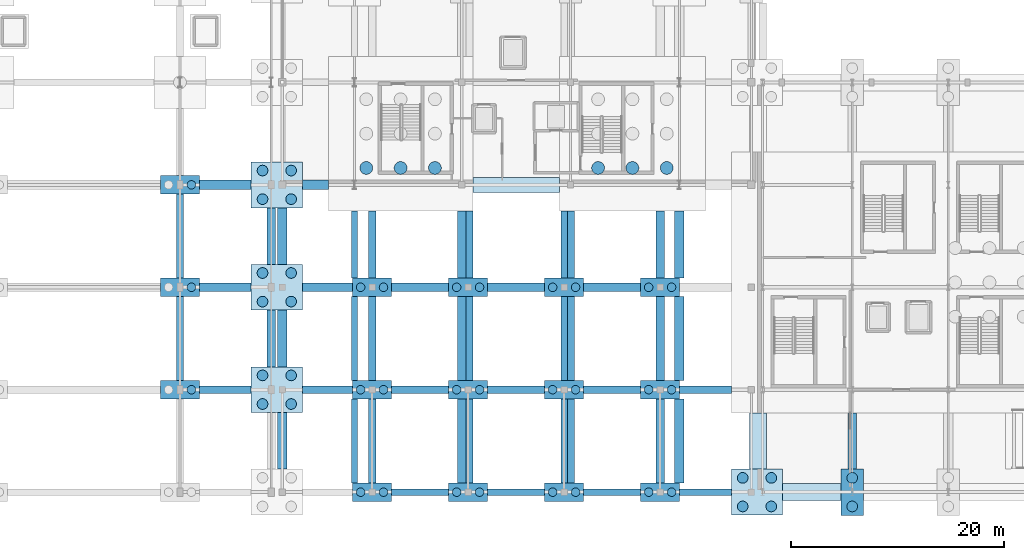
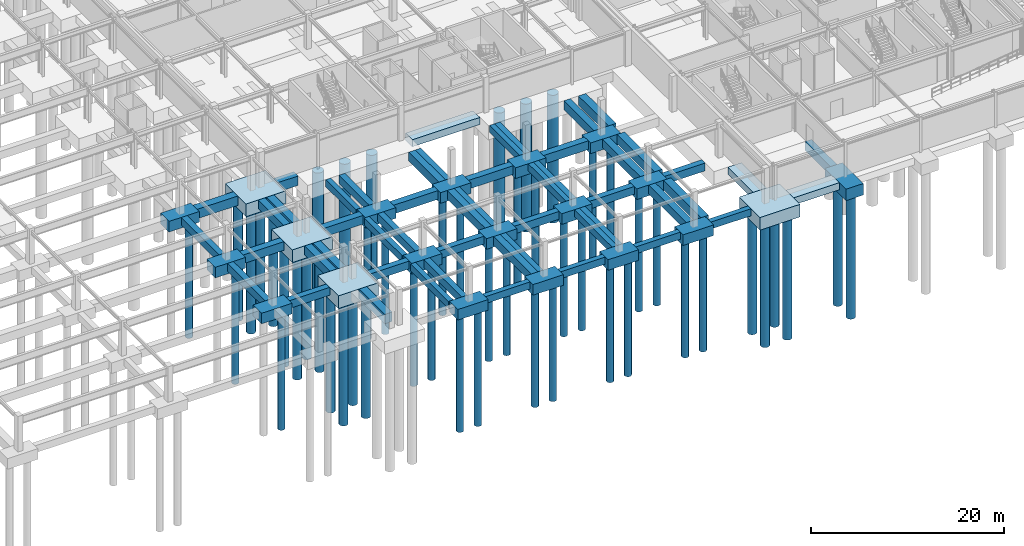
# One storey, part 2 of 59: 72 footings, 51 piles.
"""IFC4 building model written with IfcOpenShell, lengths in metres."""

from ifc_helpers import new_model, si_unit, direction, frame, origin, origin_2d, place, context, subcontext, project, spatial, rectangle, circle, extrude, material, material_profile, profile_set, type_object, element, save


model = new_model("IFC4")

# Units and contexts
model_context = context("Model", 3, precision=1e-05, world=origin(), true_north=direction((0.0, 1.0)))
body_context = subcontext(model_context, "Body", "Model", "MODEL_VIEW")
ifc_project = project(units=[si_unit("LENGTHUNIT", "METRE"), si_unit("AREAUNIT", "SQUARE_METRE"), si_unit("VOLUMEUNIT", "CUBIC_METRE"), si_unit("PLANEANGLEUNIT", "RADIAN"), si_unit("MASSUNIT", "GRAM", prefix="KILO")], contexts=[model_context])

# Site, building, storey
site_placement = place(None, origin())
site = spatial("IfcSite", under=ifc_project, at=site_placement, CompositionType="ELEMENT")
building_placement = place(site_placement, origin())
building = spatial("IfcBuilding", under=site, at=building_placement, Name="Myrtia Square Station", CompositionType="ELEMENT")
storey_placement = place(building_placement, frame((0.0, 0.0, -4.5)))
storey = spatial("IfcBuildingStorey", under=building, at=storey_placement, Name="B01", CompositionType="ELEMENT", Elevation=-4.5)

# Footings
ifc_material = material(Name="Concrete C35/45", Category="concrete")
ifc_material_profile_1 = material_profile(ifc_material, rectangle(XDim=0.60009765625, YDim=0.89990234375, at=origin_2d()), Name="FB 600x900")
ifc_profile_set_1 = profile_set([ifc_material_profile_1], Name="Concrete C35/45")
footing_type_1 = type_object("IfcFootingType", Name="FBM-600x900", PredefinedType="FOOTING_BEAM", material=ifc_profile_set_1)
for number, where, z_axis, x_axis, name in (
    (1, (82.820068359375, 0.0, -0.449951171875), (1.0, 0.0, 0.0), (0.0, 1.0, 0.0), "Seismic foundation tie beam X-0005"),
    (2, (91.820068359375, 0.0, -0.449951171875), (1.0, 0.0, 0.0), (0.0, 1.0, 0.0), "Seismic foundation tie beam X-0006"),
    (3, (100.820068359375, 0.0, -0.449951171875), (1.0, 0.0, 0.0), (0.0, 1.0, 0.0), "Seismic foundation tie beam X-0007"),
):
    element("IfcFooting", number, at=place(storey_placement, frame(where, z_axis=z_axis, x_axis=x_axis)), inside=storey, type_object=footing_type_1, Name=name, PredefinedType="FOOTING_BEAM", context=body_context, shape_type="SweptSolid", body=[
        extrude(rectangle(XDim=0.60009765625, YDim=0.89990234375, at=origin_2d()), origin(), (0.0, 0.0, 1.0), 5.35986328125),
    ])
footing_1_placement = place(storey_placement, frame((109.820068359375, 0.0, -0.449951171875), z_axis=(1.0, 0.0, 0.0), x_axis=(0.0, 1.0, 0.0)))
element("IfcFooting", 4, at=footing_1_placement, inside=storey, type_object=footing_type_1, Name="Seismic foundation tie beam X-0008", PredefinedType="FOOTING_BEAM", context=body_context, shape_type="SweptSolid", body=[
    extrude(rectangle(XDim=0.60009765625, YDim=0.89990234375, at=origin_2d()), origin(), (0.0, 0.0, 1.0), 4.85498046875),
])
for number, where, z_axis, x_axis, name in (
    (5, (79.35009765625, 0.8798828125, -0.449951171875), (0.0, 1.0, 0.0), (-1.0, 0.0, 0.0), "Seismic foundation tie beam Y-0227"),
    (6, (79.35009765625, 10.47998046875, -0.449951171875), (0.0, 1.0, 0.0), (-1.0, 0.0, 0.0), "Seismic foundation tie beam Y-0228"),
):
    element("IfcFooting", number, at=place(storey_placement, frame(where, z_axis=z_axis, x_axis=x_axis)), inside=storey, type_object=footing_type_1, Name=name, PredefinedType="FOOTING_BEAM", context=body_context, shape_type="SweptSolid", body=[
        extrude(rectangle(XDim=0.60009765625, YDim=0.89990234375, at=origin_2d()), origin(), (0.0, 0.0, 1.0), 7.840087890625),
    ])
footing_2_placement = place(storey_placement, frame((79.35009765625, 20.080078125, -0.449951171875), z_axis=(0.0, 1.0, 0.0), x_axis=(-1.0, 0.0, 0.0)))
element("IfcFooting", 7, at=footing_2_placement, inside=storey, type_object=footing_type_1, Name="Seismic foundation tie beam Y-0229", PredefinedType="FOOTING_BEAM", context=body_context, shape_type="SweptSolid", body=[
    extrude(rectangle(XDim=0.60009765625, YDim=0.89990234375, at=origin_2d()), origin(), (0.0, 0.0, 1.0), 6.27001953125),
])
for number, where, z_axis, x_axis, name in (
    (8, (99.0, 0.8798828125, -0.449951171875), (0.0, 1.0, 0.0), (-1.0, 0.0, 0.0), "Seismic foundation tie beam Y-0262"),
    (9, (99.0, 10.47998046875, -0.449951171875), (0.0, 1.0, 0.0), (-1.0, 0.0, 0.0), "Seismic foundation tie beam Y-0263"),
):
    element("IfcFooting", number, at=place(storey_placement, frame(where, z_axis=z_axis, x_axis=x_axis)), inside=storey, type_object=footing_type_1, Name=name, PredefinedType="FOOTING_BEAM", context=body_context, shape_type="SweptSolid", body=[
        extrude(rectangle(XDim=0.60009765625, YDim=0.89990234375, at=origin_2d()), origin(), (0.0, 0.0, 1.0), 7.840087890625),
    ])
footing_3_placement = place(storey_placement, frame((99.0, 20.080078125, -0.449951171875), z_axis=(0.0, 1.0, 0.0), x_axis=(-1.0, 0.0, 0.0)))
element("IfcFooting", 10, at=footing_3_placement, inside=storey, type_object=footing_type_1, Name="Seismic foundation tie beam Y-0264", PredefinedType="FOOTING_BEAM", context=body_context, shape_type="SweptSolid", body=[
    extrude(rectangle(XDim=0.60009765625, YDim=0.89990234375, at=origin_2d()), origin(), (0.0, 0.0, 1.0), 6.27001953125),
])
ifc_material_profile_2 = material_profile(ifc_material, rectangle(XDim=0.699951171875, YDim=1.0, at=origin_2d()), Name="FB 700x1000")
ifc_profile_set_2 = profile_set([ifc_material_profile_2], Name="Concrete C35/45")
footing_type_2 = type_object("IfcFootingType", Name="FBM-700x1000", PredefinedType="FOOTING_BEAM", material=ifc_profile_set_2)
footing_4_placement = place(storey_placement, frame((64.820068359375, 9.60009765625, -0.5), z_axis=(1.0, 0.0, 0.0), x_axis=(0.0, 1.0, 0.0)))
element("IfcFooting", 11, at=footing_4_placement, inside=storey, type_object=footing_type_2, Name="Seismic foundation tie beam X-0013", PredefinedType="FOOTING_BEAM", context=body_context, shape_type="SweptSolid", body=[
    extrude(rectangle(XDim=0.699951171875, YDim=1.0, at=origin_2d()), origin(), (0.0, 0.0, 1.0), 4.85498046875),
])
footing_5_placement = place(storey_placement, frame((74.47509765625, 9.60009765625, -0.5), z_axis=(1.0, 0.0, 0.0), x_axis=(0.0, 1.0, 0.0)))
element("IfcFooting", 12, at=footing_5_placement, inside=storey, type_object=footing_type_2, Name="Seismic foundation tie beam X-0014", PredefinedType="FOOTING_BEAM", context=body_context, shape_type="SweptSolid", body=[
    extrude(rectangle(XDim=0.699951171875, YDim=1.0, at=origin_2d()), origin(), (0.0, 0.0, 1.0), 4.704833984375),
])
for number, where, z_axis, x_axis, name in (
    (13, (82.820068359375, 9.60009765625, -0.5), (1.0, 0.0, 0.0), (0.0, 1.0, 0.0), "Seismic foundation tie beam X-0015"),
    (14, (91.820068359375, 9.60009765625, -0.5), (1.0, 0.0, 0.0), (0.0, 1.0, 0.0), "Seismic foundation tie beam X-0016"),
    (15, (100.820068359375, 9.60009765625, -0.5), (1.0, 0.0, 0.0), (0.0, 1.0, 0.0), "Seismic foundation tie beam X-0017"),
):
    element("IfcFooting", number, at=place(storey_placement, frame(where, z_axis=z_axis, x_axis=x_axis)), inside=storey, type_object=footing_type_2, Name=name, PredefinedType="FOOTING_BEAM", context=body_context, shape_type="SweptSolid", body=[
        extrude(rectangle(XDim=0.699951171875, YDim=1.0, at=origin_2d()), origin(), (0.0, 0.0, 1.0), 5.35986328125),
    ])
footing_6_placement = place(storey_placement, frame((109.820068359375, 9.60009765625, -0.5), z_axis=(1.0, 0.0, 0.0), x_axis=(0.0, 1.0, 0.0)))
element("IfcFooting", 16, at=footing_6_placement, inside=storey, type_object=footing_type_2, Name="Seismic foundation tie beam X-0018", PredefinedType="FOOTING_BEAM", context=body_context, shape_type="SweptSolid", body=[
    extrude(rectangle(XDim=0.699951171875, YDim=1.0, at=origin_2d()), origin(), (0.0, 0.0, 1.0), 4.85498046875),
])
footing_7_placement = place(storey_placement, frame((63.0, 10.47998046875, -0.5), z_axis=(0.0, 1.0, 0.0), x_axis=(-1.0, 0.0, 0.0)))
element("IfcFooting", 17, at=footing_7_placement, inside=storey, type_object=footing_type_2, Name="Seismic foundation tie beam Y-0203", PredefinedType="FOOTING_BEAM", context=body_context, shape_type="SweptSolid", body=[
    extrude(rectangle(XDim=0.699951171875, YDim=1.0, at=origin_2d()), origin(), (0.0, 0.0, 1.0), 7.840087890625),
])
footing_8_placement = place(storey_placement, frame((63.0, 20.080078125, -0.5), z_axis=(0.0, 1.0, 0.0), x_axis=(-1.0, 0.0, 0.0)))
element("IfcFooting", 18, at=footing_8_placement, inside=storey, type_object=footing_type_2, Name="Seismic foundation tie beam Y-0204", PredefinedType="FOOTING_BEAM", context=body_context, shape_type="SweptSolid", body=[
    extrude(rectangle(XDim=0.699951171875, YDim=1.0, at=origin_2d()), origin(), (0.0, 0.0, 1.0), 7.83984375),
])
for number, where, z_axis, x_axis, name in (
    (19, (81.0, 0.8798828125, -0.5), (0.0, 1.0, 0.0), (-1.0, 0.0, 0.0), "Seismic foundation tie beam Y-0235"),
    (20, (81.0, 10.47998046875, -0.5), (0.0, 1.0, 0.0), (-1.0, 0.0, 0.0), "Seismic foundation tie beam Y-0236"),
):
    element("IfcFooting", number, at=place(storey_placement, frame(where, z_axis=z_axis, x_axis=x_axis)), inside=storey, type_object=footing_type_2, Name=name, PredefinedType="FOOTING_BEAM", context=body_context, shape_type="SweptSolid", body=[
        extrude(rectangle(XDim=0.699951171875, YDim=1.0, at=origin_2d()), origin(), (0.0, 0.0, 1.0), 7.840087890625),
    ])
footing_9_placement = place(storey_placement, frame((81.0, 20.080078125, -0.5), z_axis=(0.0, 1.0, 0.0), x_axis=(-1.0, 0.0, 0.0)))
element("IfcFooting", 21, at=footing_9_placement, inside=storey, type_object=footing_type_2, Name="Seismic foundation tie beam Y-0237", PredefinedType="FOOTING_BEAM", context=body_context, shape_type="SweptSolid", body=[
    extrude(rectangle(XDim=0.699951171875, YDim=1.0, at=origin_2d()), origin(), (0.0, 0.0, 1.0), 6.27001953125),
])
for number, where, z_axis, x_axis, name in (
    (22, (99.60009765625, 0.8798828125, -0.5), (0.0, 1.0, 0.0), (-1.0, 0.0, 0.0), "Seismic foundation tie beam Y-0271"),
    (23, (99.60009765625, 10.47998046875, -0.5), (0.0, 1.0, 0.0), (-1.0, 0.0, 0.0), "Seismic foundation tie beam Y-0272"),
):
    element("IfcFooting", number, at=place(storey_placement, frame(where, z_axis=z_axis, x_axis=x_axis)), inside=storey, type_object=footing_type_2, Name=name, PredefinedType="FOOTING_BEAM", context=body_context, shape_type="SweptSolid", body=[
        extrude(rectangle(XDim=0.699951171875, YDim=1.0, at=origin_2d()), origin(), (0.0, 0.0, 1.0), 7.840087890625),
    ])
footing_10_placement = place(storey_placement, frame((99.60009765625, 20.080078125, -0.5), z_axis=(0.0, 1.0, 0.0), x_axis=(-1.0, 0.0, 0.0)))
element("IfcFooting", 24, at=footing_10_placement, inside=storey, type_object=footing_type_2, Name="Seismic foundation tie beam Y-0273", PredefinedType="FOOTING_BEAM", context=body_context, shape_type="SweptSolid", body=[
    extrude(rectangle(XDim=0.699951171875, YDim=1.0, at=origin_2d()), origin(), (0.0, 0.0, 1.0), 6.27001953125),
])
ifc_material_profile_3 = material_profile(ifc_material, rectangle(XDim=0.800048828125, YDim=1.10009765625, at=origin_2d()), Name="FB 800x1100")
ifc_profile_set_3 = profile_set([ifc_material_profile_3], Name="Concrete C35/45")
footing_type_3 = type_object("IfcFootingType", Name="FBM-800x1100", PredefinedType="FOOTING_BEAM", material=ifc_profile_set_3)
footing_11_placement = place(storey_placement, frame((64.820068359375, 19.199951171875, -0.550048828125), z_axis=(1.0, 0.0, 0.0), x_axis=(0.0, 1.0, 0.0)))
element("IfcFooting", 25, at=footing_11_placement, inside=storey, type_object=footing_type_3, Name="Seismic foundation tie beam X-0025", PredefinedType="FOOTING_BEAM", context=body_context, shape_type="SweptSolid", body=[
    extrude(rectangle(XDim=0.800048828125, YDim=1.10009765625, at=origin_2d()), origin(), (0.0, 0.0, 1.0), 4.85498046875),
])
footing_12_placement = place(storey_placement, frame((74.47509765625, 19.199951171875, -0.550048828125), z_axis=(1.0, 0.0, 0.0), x_axis=(0.0, 1.0, 0.0)))
element("IfcFooting", 26, at=footing_12_placement, inside=storey, type_object=footing_type_3, Name="Seismic foundation tie beam X-0026", PredefinedType="FOOTING_BEAM", context=body_context, shape_type="SweptSolid", body=[
    extrude(rectangle(XDim=0.800048828125, YDim=1.10009765625, at=origin_2d()), origin(), (0.0, 0.0, 1.0), 4.704833984375),
])
for number, where, z_axis, x_axis, name in (
    (27, (82.820068359375, 19.199951171875, -0.550048828125), (1.0, 0.0, 0.0), (0.0, 1.0, 0.0), "Seismic foundation tie beam X-0027"),
    (28, (91.820068359375, 19.199951171875, -0.550048828125), (1.0, 0.0, 0.0), (0.0, 1.0, 0.0), "Seismic foundation tie beam X-0028"),
    (29, (100.820068359375, 19.199951171875, -0.550048828125), (1.0, 0.0, 0.0), (0.0, 1.0, 0.0), "Seismic foundation tie beam X-0029"),
):
    element("IfcFooting", number, at=place(storey_placement, frame(where, z_axis=z_axis, x_axis=x_axis)), inside=storey, type_object=footing_type_3, Name=name, PredefinedType="FOOTING_BEAM", context=body_context, shape_type="SweptSolid", body=[
        extrude(rectangle(XDim=0.800048828125, YDim=1.10009765625, at=origin_2d()), origin(), (0.0, 0.0, 1.0), 5.35986328125),
    ])
footing_13_placement = place(storey_placement, frame((71.550048828125, 11.75, -0.550048828125), z_axis=(0.0, 1.0, 0.0), x_axis=(-1.0, 0.0, 0.0)))
element("IfcFooting", 30, at=footing_13_placement, inside=storey, type_object=footing_type_3, Name="Seismic foundation tie beam Y-0216", PredefinedType="FOOTING_BEAM", context=body_context, shape_type="SweptSolid", body=[
    extrude(rectangle(XDim=0.800048828125, YDim=1.10009765625, at=origin_2d()), origin(), (0.0, 0.0, 1.0), 5.300048828125),
])
footing_14_placement = place(storey_placement, frame((71.550048828125, 21.35009765625, -0.550048828125), z_axis=(0.0, 1.0, 0.0), x_axis=(-1.0, 0.0, 0.0)))
element("IfcFooting", 31, at=footing_14_placement, inside=storey, type_object=footing_type_3, Name="Seismic foundation tie beam Y-0217", PredefinedType="FOOTING_BEAM", context=body_context, shape_type="SweptSolid", body=[
    extrude(rectangle(XDim=0.800048828125, YDim=1.10009765625, at=origin_2d()), origin(), (0.0, 0.0, 1.0), 5.2998046875),
])
for number, where, z_axis, x_axis, name in (
    (32, (89.39990234375, 0.8798828125, -0.550048828125), (0.0, 1.0, 0.0), (-1.0, 0.0, 0.0), "Seismic foundation tie beam Y-0244"),
    (33, (89.39990234375, 10.47998046875, -0.550048828125), (0.0, 1.0, 0.0), (-1.0, 0.0, 0.0), "Seismic foundation tie beam Y-0245"),
):
    element("IfcFooting", number, at=place(storey_placement, frame(where, z_axis=z_axis, x_axis=x_axis)), inside=storey, type_object=footing_type_3, Name=name, PredefinedType="FOOTING_BEAM", context=body_context, shape_type="SweptSolid", body=[
        extrude(rectangle(XDim=0.800048828125, YDim=1.10009765625, at=origin_2d()), origin(), (0.0, 0.0, 1.0), 7.840087890625),
    ])
footing_15_placement = place(storey_placement, frame((89.39990234375, 20.080078125, -0.550048828125), z_axis=(0.0, 1.0, 0.0), x_axis=(-1.0, 0.0, 0.0)))
element("IfcFooting", 34, at=footing_15_placement, inside=storey, type_object=footing_type_3, Name="Seismic foundation tie beam Y-0246", PredefinedType="FOOTING_BEAM", context=body_context, shape_type="SweptSolid", body=[
    extrude(rectangle(XDim=0.800048828125, YDim=1.10009765625, at=origin_2d()), origin(), (0.0, 0.0, 1.0), 6.27001953125),
])
for number, where, z_axis, x_axis, name in (
    (35, (108.0, 0.8798828125, -0.550048828125), (0.0, 1.0, 0.0), (-1.0, 0.0, 0.0), "Seismic foundation tie beam Y-0280"),
    (36, (108.0, 10.47998046875, -0.550048828125), (0.0, 1.0, 0.0), (-1.0, 0.0, 0.0), "Seismic foundation tie beam Y-0281"),
):
    element("IfcFooting", number, at=place(storey_placement, frame(where, z_axis=z_axis, x_axis=x_axis)), inside=storey, type_object=footing_type_3, Name=name, PredefinedType="FOOTING_BEAM", context=body_context, shape_type="SweptSolid", body=[
        extrude(rectangle(XDim=0.800048828125, YDim=1.10009765625, at=origin_2d()), origin(), (0.0, 0.0, 1.0), 7.840087890625),
    ])
footing_16_placement = place(storey_placement, frame((108.0, 20.080078125, -0.550048828125), z_axis=(0.0, 1.0, 0.0), x_axis=(-1.0, 0.0, 0.0)))
element("IfcFooting", 37, at=footing_16_placement, inside=storey, type_object=footing_type_3, Name="Seismic foundation tie beam Y-0282", PredefinedType="FOOTING_BEAM", context=body_context, shape_type="SweptSolid", body=[
    extrude(rectangle(XDim=0.800048828125, YDim=1.10009765625, at=origin_2d()), origin(), (0.0, 0.0, 1.0), 6.27001953125),
])
footing_17_placement = place(storey_placement, frame((126.0, 2.179931640625, -0.550048828125), z_axis=(0.0, 1.0, 0.0), x_axis=(-1.0, 0.0, 0.0)))
element("IfcFooting", 38, at=footing_17_placement, inside=storey, type_object=footing_type_3, Name="Seismic foundation tie beam Y-0307", PredefinedType="FOOTING_BEAM", context=body_context, shape_type="SweptSolid", body=[
    extrude(rectangle(XDim=0.800048828125, YDim=1.10009765625, at=origin_2d()), origin(), (0.0, 0.0, 1.0), 5.239990234375),
])
ifc_material_profile_4 = material_profile(ifc_material, rectangle(XDim=0.89990234375, YDim=1.199951171875, at=origin_2d()), Name="FB 900x1200")
ifc_profile_set_4 = profile_set([ifc_material_profile_4], Name="Concrete C35/45")
footing_type_4 = type_object("IfcFootingType", Name="FBM-900x1200", PredefinedType="FOOTING_BEAM", material=ifc_profile_set_4)
footing_18_placement = place(storey_placement, frame((64.820068359375, 28.800048828125, -0.60009765625), z_axis=(1.0, 0.0, 0.0), x_axis=(0.0, 1.0, 0.0)))
element("IfcFooting", 39, at=footing_18_placement, inside=storey, type_object=footing_type_4, Name="Seismic foundation tie beam X-0037", PredefinedType="FOOTING_BEAM", context=body_context, shape_type="SweptSolid", body=[
    extrude(rectangle(XDim=0.89990234375, YDim=1.199951171875, at=origin_2d()), origin(), (0.0, 0.0, 1.0), 4.85498046875),
])
footing_19_placement = place(storey_placement, frame((74.47509765625, 28.800048828125, -0.60009765625), z_axis=(1.0, 0.0, 0.0), x_axis=(0.0, 1.0, 0.0)))
element("IfcFooting", 40, at=footing_19_placement, inside=storey, type_object=footing_type_4, Name="Seismic foundation tie beam X-0038", PredefinedType="FOOTING_BEAM", context=body_context, shape_type="SweptSolid", body=[
    extrude(rectangle(XDim=0.89990234375, YDim=1.199951171875, at=origin_2d()), origin(), (0.0, 0.0, 1.0), 2.4248046875),
])
for number, where, z_axis, x_axis, name in (
    (41, (72.60009765625, 2.14990234375, -0.60009765625), (0.0, 1.0, 0.0), (-1.0, 0.0, 0.0), "Seismic foundation tie beam Y-0221"),
    (42, (72.60009765625, 11.75, -0.60009765625), (0.0, 1.0, 0.0), (-1.0, 0.0, 0.0), "Seismic foundation tie beam Y-0222"),
):
    element("IfcFooting", number, at=place(storey_placement, frame(where, z_axis=z_axis, x_axis=x_axis)), inside=storey, type_object=footing_type_4, Name=name, PredefinedType="FOOTING_BEAM", context=body_context, shape_type="SweptSolid", body=[
        extrude(rectangle(XDim=0.89990234375, YDim=1.199951171875, at=origin_2d()), origin(), (0.0, 0.0, 1.0), 5.300048828125),
    ])
footing_20_placement = place(storey_placement, frame((72.60009765625, 21.35009765625, -0.60009765625), z_axis=(0.0, 1.0, 0.0), x_axis=(-1.0, 0.0, 0.0)))
element("IfcFooting", 43, at=footing_20_placement, inside=storey, type_object=footing_type_4, Name="Seismic foundation tie beam Y-0223", PredefinedType="FOOTING_BEAM", context=body_context, shape_type="SweptSolid", body=[
    extrude(rectangle(XDim=0.89990234375, YDim=1.199951171875, at=origin_2d()), origin(), (0.0, 0.0, 1.0), 5.2998046875),
])
for number, where, z_axis, x_axis, name in (
    (44, (90.0, 0.8798828125, -0.60009765625), (0.0, 1.0, 0.0), (-1.0, 0.0, 0.0), "Seismic foundation tie beam Y-0253"),
    (45, (90.0, 10.47998046875, -0.60009765625), (0.0, 1.0, 0.0), (-1.0, 0.0, 0.0), "Seismic foundation tie beam Y-0254"),
):
    element("IfcFooting", number, at=place(storey_placement, frame(where, z_axis=z_axis, x_axis=x_axis)), inside=storey, type_object=footing_type_4, Name=name, PredefinedType="FOOTING_BEAM", context=body_context, shape_type="SweptSolid", body=[
        extrude(rectangle(XDim=0.89990234375, YDim=1.199951171875, at=origin_2d()), origin(), (0.0, 0.0, 1.0), 7.840087890625),
    ])
footing_21_placement = place(storey_placement, frame((90.0, 20.080078125, -0.60009765625), z_axis=(0.0, 1.0, 0.0), x_axis=(-1.0, 0.0, 0.0)))
element("IfcFooting", 46, at=footing_21_placement, inside=storey, type_object=footing_type_4, Name="Seismic foundation tie beam Y-0255", PredefinedType="FOOTING_BEAM", context=body_context, shape_type="SweptSolid", body=[
    extrude(rectangle(XDim=0.89990234375, YDim=1.199951171875, at=origin_2d()), origin(), (0.0, 0.0, 1.0), 6.27001953125),
])
for number, where, z_axis, x_axis, name in (
    (47, (109.800048828125, 0.8798828125, -0.60009765625), (0.0, 1.0, 0.0), (-1.0, 0.0, 0.0), "Seismic foundation tie beam Y-0289"),
    (48, (109.800048828125, 10.47998046875, -0.60009765625), (0.0, 1.0, 0.0), (-1.0, 0.0, 0.0), "Seismic foundation tie beam Y-0290"),
):
    element("IfcFooting", number, at=place(storey_placement, frame(where, z_axis=z_axis, x_axis=x_axis)), inside=storey, type_object=footing_type_4, Name=name, PredefinedType="FOOTING_BEAM", context=body_context, shape_type="SweptSolid", body=[
        extrude(rectangle(XDim=0.89990234375, YDim=1.199951171875, at=origin_2d()), origin(), (0.0, 0.0, 1.0), 7.840087890625),
    ])
footing_22_placement = place(storey_placement, frame((109.800048828125, 20.080078125, -0.60009765625), z_axis=(0.0, 1.0, 0.0), x_axis=(-1.0, 0.0, 0.0)))
element("IfcFooting", 49, at=footing_22_placement, inside=storey, type_object=footing_type_4, Name="Seismic foundation tie beam Y-0291", PredefinedType="FOOTING_BEAM", context=body_context, shape_type="SweptSolid", body=[
    extrude(rectangle(XDim=0.89990234375, YDim=1.199951171875, at=origin_2d()), origin(), (0.0, 0.0, 1.0), 6.27001953125),
])
footing_type_5 = type_object("IfcFootingType", Name="FCAP-210x436x145", PredefinedType="PILE_CAP", material=ifc_material)
footing_23_placement = place(storey_placement, frame((126.0, 0.0, -1.4501953125), z_axis=(0.0, 0.0, 1.0), x_axis=(1.0, 0.0, 0.0)))
element("IfcFooting", 50, at=footing_23_placement, inside=storey, type_object=footing_type_5, Name="Reinforced concrete pile cap CAP-M2Y-163", PredefinedType="PILE_CAP", context=body_context, shape_type="SweptSolid", body=[
    extrude(rectangle(XDim=2.10009765625, YDim=4.360107421875, at=origin_2d()), origin(), (0.0, 0.0, 1.0), 1.449951171875),
])
footing_type_6 = type_object("IfcFootingType", Name="FCAP-364x176x135", PredefinedType="PILE_CAP", material=ifc_material)
for number, where, z_axis, x_axis, name in (
    (51, (63.0, 9.60009765625, -1.35009765625), (0.0, 0.0, 1.0), (1.0, 0.0, 0.0), "Reinforced concrete pile cap CAP-L2X-053"),
    (52, (63.0, 19.199951171875, -1.35009765625), (0.0, 0.0, 1.0), (1.0, 0.0, 0.0), "Reinforced concrete pile cap CAP-L2X-054"),
    (53, (63.0, 28.800048828125, -1.35009765625), (0.0, 0.0, 1.0), (1.0, 0.0, 0.0), "Reinforced concrete pile cap CAP-L2X-055"),
    (54, (81.0, 0.0, -1.35009765625), (0.0, 0.0, 1.0), (1.0, 0.0, 0.0), "Reinforced concrete pile cap CAP-L2X-143"),
    (55, (81.0, 9.60009765625, -1.35009765625), (0.0, 0.0, 1.0), (1.0, 0.0, 0.0), "Reinforced concrete pile cap CAP-L2X-144"),
    (56, (81.0, 19.199951171875, -1.35009765625), (0.0, 0.0, 1.0), (1.0, 0.0, 0.0), "Reinforced concrete pile cap CAP-L2X-145"),
    (57, (90.0, 0.0, -1.35009765625), (0.0, 0.0, 1.0), (1.0, 0.0, 0.0), "Reinforced concrete pile cap CAP-L2X-146"),
    (58, (90.0, 9.60009765625, -1.35009765625), (0.0, 0.0, 1.0), (1.0, 0.0, 0.0), "Reinforced concrete pile cap CAP-L2X-147"),
    (59, (90.0, 19.199951171875, -1.35009765625), (0.0, 0.0, 1.0), (1.0, 0.0, 0.0), "Reinforced concrete pile cap CAP-L2X-148"),
    (60, (99.0, 0.0, -1.35009765625), (0.0, 0.0, 1.0), (1.0, 0.0, 0.0), "Reinforced concrete pile cap CAP-L2X-149"),
    (61, (99.0, 9.60009765625, -1.35009765625), (0.0, 0.0, 1.0), (1.0, 0.0, 0.0), "Reinforced concrete pile cap CAP-L2X-150"),
    (62, (99.0, 19.199951171875, -1.35009765625), (0.0, 0.0, 1.0), (1.0, 0.0, 0.0), "Reinforced concrete pile cap CAP-L2X-151"),
    (63, (108.0, 0.0, -1.35009765625), (0.0, 0.0, 1.0), (1.0, 0.0, 0.0), "Reinforced concrete pile cap CAP-L2X-152"),
    (64, (108.0, 9.60009765625, -1.35009765625), (0.0, 0.0, 1.0), (1.0, 0.0, 0.0), "Reinforced concrete pile cap CAP-L2X-153"),
    (65, (108.0, 19.199951171875, -1.35009765625), (0.0, 0.0, 1.0), (1.0, 0.0, 0.0), "Reinforced concrete pile cap CAP-L2X-154"),
):
    element("IfcFooting", number, at=place(storey_placement, frame(where, z_axis=z_axis, x_axis=x_axis)), inside=storey, type_object=footing_type_6, Name=name, PredefinedType="PILE_CAP", context=body_context, shape_type="SweptSolid", body=[
        extrude(rectangle(XDim=3.639892578125, YDim=1.760009765625, at=origin_2d()), origin(), (0.0, 0.0, 1.0), 1.35009765625),
    ])
footing_type_7 = type_object("IfcFootingType", Name="FCAP-480x430x160", PredefinedType="PILE_CAP", material=ifc_material)
for number, where, z_axis, x_axis, name in (
    (66, (72.074951171875, 9.60009765625, -1.60009765625), (0.0, 0.0, 1.0), (1.0, 0.0, 0.0), "Reinforced concrete pile cap CAP-JT-067"),
    (67, (72.074951171875, 19.199951171875, -1.60009765625), (0.0, 0.0, 1.0), (1.0, 0.0, 0.0), "Reinforced concrete pile cap CAP-JT-068"),
    (68, (72.074951171875, 28.800048828125, -1.60009765625), (0.0, 0.0, 1.0), (1.0, 0.0, 0.0), "Reinforced concrete pile cap CAP-JT-069"),
    (69, (117.074951171875, 0.0, -1.60009765625), (0.0, 0.0, 1.0), (1.0, 0.0, 0.0), "Reinforced concrete pile cap CAP-JT-155"),
):
    element("IfcFooting", number, at=place(storey_placement, frame(where, z_axis=z_axis, x_axis=x_axis)), inside=storey, type_object=footing_type_7, Name=name, PredefinedType="PILE_CAP", context=body_context, shape_type="SweptSolid", body=[
        extrude(rectangle(XDim=4.800048828125, YDim=4.300048828125, at=origin_2d()), origin(), (0.0, 0.0, 1.0), 1.60009765625),
    ])

# Piles
ifc_material_profile_5 = material_profile(ifc_material, circle(Radius=0.5, at=origin_2d()), Name="BP D1000")
ifc_profile_set_5 = profile_set([ifc_material_profile_5], Name="Concrete C35/45")
pile_type_1 = type_object("IfcPileType", Name="PIL-BP1000", PredefinedType="BORED", material=ifc_profile_set_5)
for number, where, z_axis, x_axis, name in (
    (70, (70.735107421875, 8.260009765625, -1.5), (0.0, 0.0, -1.0), (1.0, 0.0, 0.0), "Bored pile 0215"),
    (71, (70.735107421875, 10.93994140625, -1.5), (0.0, 0.0, -1.0), (1.0, 0.0, 0.0), "Bored pile 0216"),
    (72, (73.4150390625, 8.260009765625, -1.5), (0.0, 0.0, -1.0), (1.0, 0.0, 0.0), "Bored pile 0217"),
    (73, (73.4150390625, 10.93994140625, -1.5), (0.0, 0.0, -1.0), (1.0, 0.0, 0.0), "Bored pile 0218"),
    (74, (70.735107421875, 17.860107421875, -1.5), (0.0, 0.0, -1.0), (1.0, 0.0, 0.0), "Bored pile 0219"),
    (75, (70.735107421875, 20.5400390625, -1.5), (0.0, 0.0, -1.0), (1.0, 0.0, 0.0), "Bored pile 0220"),
    (76, (73.4150390625, 17.860107421875, -1.5), (0.0, 0.0, -1.0), (1.0, 0.0, 0.0), "Bored pile 0221"),
    (77, (73.4150390625, 20.5400390625, -1.5), (0.0, 0.0, -1.0), (1.0, 0.0, 0.0), "Bored pile 0222"),
    (78, (70.735107421875, 27.4599609375, -1.5), (0.0, 0.0, -1.0), (1.0, 0.0, 0.0), "Bored pile 0223"),
    (79, (70.735107421875, 30.139892578125, -1.5), (0.0, 0.0, -1.0), (1.0, 0.0, 0.0), "Bored pile 0224"),
    (80, (73.4150390625, 27.4599609375, -1.5), (0.0, 0.0, -1.0), (1.0, 0.0, 0.0), "Bored pile 0225"),
    (81, (73.4150390625, 30.139892578125, -1.5), (0.0, 0.0, -1.0), (1.0, 0.0, 0.0), "Bored pile 0226"),
    (82, (115.735107421875, -1.340087890625, -1.5), (0.0, 0.0, -1.0), (1.0, 0.0, 0.0), "Bored pile 0371"),
    (83, (115.735107421875, 1.340087890625, -1.5), (0.0, 0.0, -1.0), (1.0, 0.0, 0.0), "Bored pile 0372"),
    (84, (118.4150390625, -1.340087890625, -1.5), (0.0, 0.0, -1.0), (1.0, 0.0, 0.0), "Bored pile 0373"),
    (85, (118.4150390625, 1.340087890625, -1.5), (0.0, 0.0, -1.0), (1.0, 0.0, 0.0), "Bored pile 0374"),
):
    element("IfcPile", number, at=place(storey_placement, frame(where, z_axis=z_axis, x_axis=x_axis)), inside=storey, type_object=pile_type_1, Name=name, PredefinedType="BORED", context=body_context, shape_type="SweptSolid", body=[
        extrude(circle(Radius=0.5, at=origin_2d()), origin(), (0.0, 0.0, 1.0), 15.5),
    ])
for number, where, z_axis, x_axis, name in (
    (86, (126.0, -1.340087890625, -1.35009765625), (0.0, 0.0, -1.0), (1.0, 0.0, 0.0), "Bored pile 0375"),
    (87, (126.0, 1.340087890625, -1.35009765625), (0.0, 0.0, -1.0), (1.0, 0.0, 0.0), "Bored pile 0376"),
):
    element("IfcPile", number, at=place(storey_placement, frame(where, z_axis=z_axis, x_axis=x_axis)), inside=storey, type_object=pile_type_1, Name=name, PredefinedType="BORED", context=body_context, shape_type="SweptSolid", body=[
        extrude(circle(Radius=0.5, at=origin_2d()), origin(), (0.0, 0.0, 1.0), 15.64990234375),
    ])
ifc_material_profile_6 = material_profile(ifc_material, circle(Radius=0.60009765625, at=origin_2d()), Name="BP D1200")
ifc_profile_set_6 = profile_set([ifc_material_profile_6], Name="Concrete C35/45")
pile_type_2 = type_object("IfcPileType", Name="PIL-BP1200", PredefinedType="BORED", material=ifc_profile_set_6)
for number, where, z_axis, x_axis, name in (
    (88, (80.458984375, 30.384033203125, -1.699951171875), (0.0, 0.0, -1.0), (1.0, 0.0, 0.0), "Bored pile 0001"),
    (89, (83.675048828125, 30.384033203125, -1.699951171875), (0.0, 0.0, -1.0), (1.0, 0.0, 0.0), "Bored pile 0004"),
    (90, (86.89111328125, 30.384033203125, -1.699951171875), (0.0, 0.0, -1.0), (1.0, 0.0, 0.0), "Bored pile 0007"),
    (91, (102.18408203125, 30.384033203125, -1.699951171875), (0.0, 0.0, -1.0), (1.0, 0.0, 0.0), "Bored pile 0019"),
    (92, (105.39990234375, 30.384033203125, -1.699951171875), (0.0, 0.0, -1.0), (1.0, 0.0, 0.0), "Bored pile 0022"),
    (93, (108.615966796875, 30.384033203125, -1.699951171875), (0.0, 0.0, -1.0), (1.0, 0.0, 0.0), "Bored pile 0025"),
):
    element("IfcPile", number, at=place(storey_placement, frame(where, z_axis=z_axis, x_axis=x_axis)), inside=storey, type_object=pile_type_2, Name=name, PredefinedType="BORED", context=body_context, shape_type="SweptSolid", body=[
        extrude(circle(Radius=0.60009765625, at=origin_2d()), origin(), (0.0, 0.0, 1.0), 16.199951171875),
    ])
ifc_material_profile_7 = material_profile(ifc_material, circle(Radius=0.39990234375, at=origin_2d()), Name="BP D800")
ifc_profile_set_7 = profile_set([ifc_material_profile_7], Name="Concrete C35/45")
pile_type_3 = type_object("IfcPileType", Name="PIL-BP800", PredefinedType="BORED", material=ifc_profile_set_7)
for number, where, z_axis, x_axis, name in (
    (94, (64.072021484375, 9.60009765625, -1.25), (0.0, 0.0, -1.0), (1.0, 0.0, 0.0), "Bored pile 0189"),
    (95, (64.072021484375, 19.199951171875, -1.25), (0.0, 0.0, -1.0), (1.0, 0.0, 0.0), "Bored pile 0191"),
    (96, (64.072021484375, 28.800048828125, -1.25), (0.0, 0.0, -1.0), (1.0, 0.0, 0.0), "Bored pile 0193"),
    (97, (79.927978515625, 0.0, -1.25), (0.0, 0.0, -1.0), (1.0, 0.0, 0.0), "Bored pile 0347"),
    (98, (82.072021484375, 0.0, -1.25), (0.0, 0.0, -1.0), (1.0, 0.0, 0.0), "Bored pile 0348"),
    (99, (79.927978515625, 9.60009765625, -1.25), (0.0, 0.0, -1.0), (1.0, 0.0, 0.0), "Bored pile 0349"),
    (100, (82.072021484375, 9.60009765625, -1.25), (0.0, 0.0, -1.0), (1.0, 0.0, 0.0), "Bored pile 0350"),
    (101, (79.927978515625, 19.199951171875, -1.25), (0.0, 0.0, -1.0), (1.0, 0.0, 0.0), "Bored pile 0351"),
    (102, (82.072021484375, 19.199951171875, -1.25), (0.0, 0.0, -1.0), (1.0, 0.0, 0.0), "Bored pile 0352"),
    (103, (88.927978515625, 0.0, -1.25), (0.0, 0.0, -1.0), (1.0, 0.0, 0.0), "Bored pile 0353"),
    (104, (91.072021484375, 0.0, -1.25), (0.0, 0.0, -1.0), (1.0, 0.0, 0.0), "Bored pile 0354"),
    (105, (88.927978515625, 9.60009765625, -1.25), (0.0, 0.0, -1.0), (1.0, 0.0, 0.0), "Bored pile 0355"),
    (106, (91.072021484375, 9.60009765625, -1.25), (0.0, 0.0, -1.0), (1.0, 0.0, 0.0), "Bored pile 0356"),
    (107, (88.927978515625, 19.199951171875, -1.25), (0.0, 0.0, -1.0), (1.0, 0.0, 0.0), "Bored pile 0357"),
    (108, (91.072021484375, 19.199951171875, -1.25), (0.0, 0.0, -1.0), (1.0, 0.0, 0.0), "Bored pile 0358"),
    (109, (97.927978515625, 0.0, -1.25), (0.0, 0.0, -1.0), (1.0, 0.0, 0.0), "Bored pile 0359"),
    (110, (100.072021484375, 0.0, -1.25), (0.0, 0.0, -1.0), (1.0, 0.0, 0.0), "Bored pile 0360"),
    (111, (97.927978515625, 9.60009765625, -1.25), (0.0, 0.0, -1.0), (1.0, 0.0, 0.0), "Bored pile 0361"),
    (112, (100.072021484375, 9.60009765625, -1.25), (0.0, 0.0, -1.0), (1.0, 0.0, 0.0), "Bored pile 0362"),
    (113, (97.927978515625, 19.199951171875, -1.25), (0.0, 0.0, -1.0), (1.0, 0.0, 0.0), "Bored pile 0363"),
    (114, (100.072021484375, 19.199951171875, -1.25), (0.0, 0.0, -1.0), (1.0, 0.0, 0.0), "Bored pile 0364"),
    (115, (106.927978515625, 0.0, -1.25), (0.0, 0.0, -1.0), (1.0, 0.0, 0.0), "Bored pile 0365"),
    (116, (109.072021484375, 0.0, -1.25), (0.0, 0.0, -1.0), (1.0, 0.0, 0.0), "Bored pile 0366"),
    (117, (106.927978515625, 9.60009765625, -1.25), (0.0, 0.0, -1.0), (1.0, 0.0, 0.0), "Bored pile 0367"),
    (118, (109.072021484375, 9.60009765625, -1.25), (0.0, 0.0, -1.0), (1.0, 0.0, 0.0), "Bored pile 0368"),
    (119, (106.927978515625, 19.199951171875, -1.25), (0.0, 0.0, -1.0), (1.0, 0.0, 0.0), "Bored pile 0369"),
    (120, (109.072021484375, 19.199951171875, -1.25), (0.0, 0.0, -1.0), (1.0, 0.0, 0.0), "Bored pile 0370"),
):
    element("IfcPile", number, at=place(storey_placement, frame(where, z_axis=z_axis, x_axis=x_axis)), inside=storey, type_object=pile_type_3, Name=name, PredefinedType="BORED", context=body_context, shape_type="SweptSolid", body=[
        extrude(circle(Radius=0.39990234375, at=origin_2d()), origin(), (0.0, 0.0, 1.0), 14.85009765625),
    ])

# Footings
footing_type_8 = type_object("IfcFootingType", Name="SF-1400x900", PredefinedType="STRIP_FOOTING", material=ifc_material)
footing_24_placement = place(storey_placement, frame((94.5, 28.800048828125, -0.89990234375), z_axis=(0.0, 0.0, 1.0), x_axis=(1.0, 0.0, 0.0)))
element("IfcFooting", 121, at=footing_24_placement, inside=storey, type_object=footing_type_8, Name="Retaining wall strip footing 001", PredefinedType="STRIP_FOOTING", context=body_context, shape_type="SweptSolid", body=[
    extrude(rectangle(XDim=8.10009765625, YDim=1.39990234375, at=origin_2d()), origin(), (0.0, 0.0, 1.0), 0.89990234375),
])
footing_type_9 = type_object("IfcFootingType", Name="SF-1600x900", PredefinedType="STRIP_FOOTING", material=ifc_material)
footing_25_placement = place(storey_placement, frame((122.21240234375, 0.0, -0.89990234375), z_axis=(0.0, 0.0, 1.0), x_axis=(1.0, 0.0, 0.0)))
element("IfcFooting", 122, at=footing_25_placement, inside=storey, type_object=footing_type_9, Name="Retaining wall strip footing 010", PredefinedType="STRIP_FOOTING", context=body_context, shape_type="SweptSolid", body=[
    extrude(rectangle(XDim=5.47509765625, YDim=1.60009765625, at=origin_2d()), origin(), (0.0, 0.0, 1.0), 0.89990234375),
])
footing_26_placement = place(storey_placement, frame((117.14990234375, 4.784912109375, -0.89990234375), z_axis=(0.0, 0.0, 1.0), x_axis=(1.0, 0.0, 0.0)))
element("IfcFooting", 123, at=footing_26_placement, inside=storey, type_object=footing_type_9, Name="Retaining wall strip footing 024", PredefinedType="STRIP_FOOTING", context=body_context, shape_type="SweptSolid", body=[
    extrude(rectangle(XDim=1.60009765625, YDim=5.27001953125, at=origin_2d()), origin(), (0.0, 0.0, 1.0), 0.89990234375),
])

save(model, "model.ifc")
